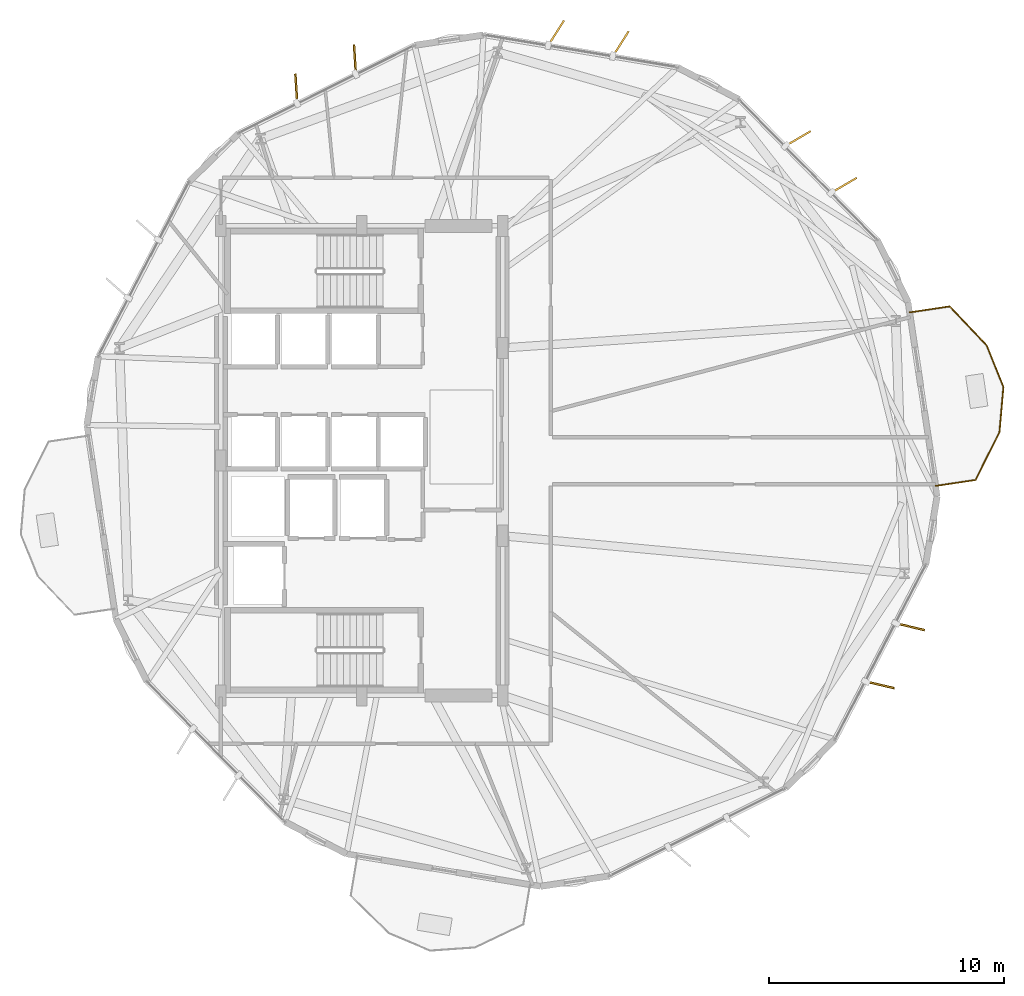
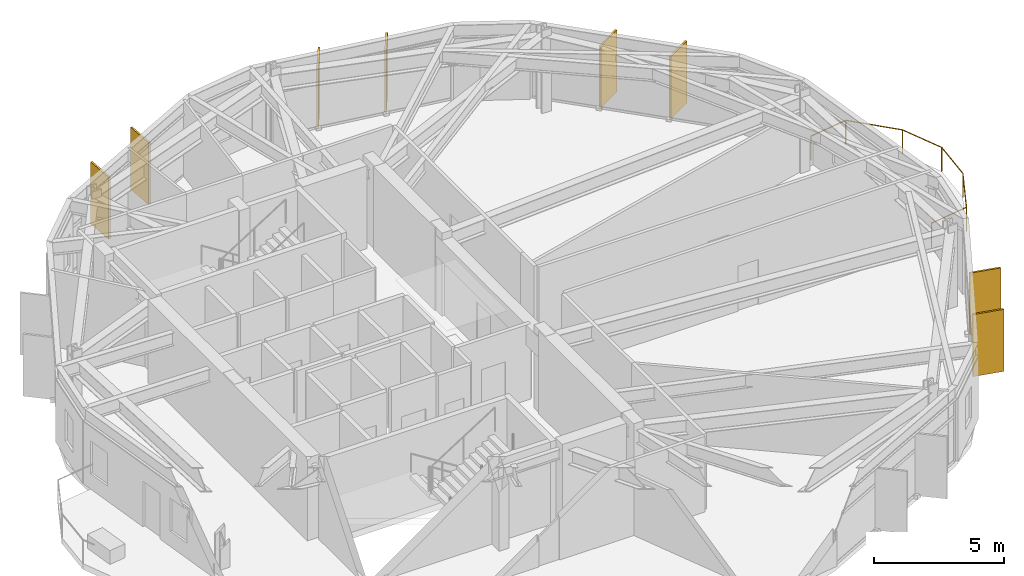
# One storey, part 22 of 22: 8 shading devices, 1 railing.
"""IFC4 building model written with IfcOpenShell, lengths in metres."""

from ifc_helpers import new_model, si_unit, direction, frame, origin, origin_2d, place, context, subcontext, project, spatial, rectangle, circle, extrude, material, layer, layer_set, type_object, element, save


model = new_model("IFC4")

# Units and contexts
model_context = context("Model", 3, precision=1e-05, world=origin(), true_north=direction((0.0, 1.0)))
body_context = subcontext(model_context, "Body", "Model", "MODEL_VIEW")
ifc_project = project(units=[si_unit("LENGTHUNIT", "METRE"), si_unit("AREAUNIT", "SQUARE_METRE"), si_unit("VOLUMEUNIT", "CUBIC_METRE"), si_unit("PLANEANGLEUNIT", "RADIAN"), si_unit("MASSUNIT", "GRAM", prefix="KILO")], contexts=[model_context])

# Site, building, storey
site_placement = place(None, origin())
site = spatial("IfcSite", under=ifc_project, at=site_placement, CompositionType="ELEMENT")
building_placement = place(site_placement, origin())
building = spatial("IfcBuilding", under=site, at=building_placement, Name="Soratama Intermodal Tower", CompositionType="ELEMENT")
storey_placement = place(building_placement, frame((0.0, 0.0, 130.300048828125)))
storey = spatial("IfcBuildingStorey", under=building, at=storey_placement, Name="L31", CompositionType="ELEMENT", Elevation=130.300048828125)

# Railing
ifc_material_1 = material(Name="Laminated glass and stainless steel balustrade", Category="steel")
railing_type = type_object("IfcRailingType", Name="RL-BAL-1150", PredefinedType="BALUSTRADE", material=ifc_material_1)
railing_placement = place(storey_placement, frame((61.940673828125, 31.317626953125, 0.0)))
element("IfcRailing", 1, at=railing_placement, inside=storey, type_object=railing_type, Name="L31 Balcony Balustrade 1", PredefinedType="BALUSTRADE", context=body_context, shape_type="SweptSolid", body=[
    extrude(circle(Radius=0.02392578125, at=origin_2d()), frame((0.0, 0.0, 1.1259765625), z_axis=(0.98895820712, 0.14819468469, 0.0), x_axis=(-0.14819468469, 0.98895820712, 0.0)), (0.0, 0.0, 1.0), 1.719970703125),
    extrude(circle(Radius=0.02392578125, at=origin_2d()), frame((1.700927734375, 0.2548828125, 1.1259765625), z_axis=(0.689187750138, -0.724582807593, 0.0), x_axis=(0.724582807593, 0.689187750138, 0.0)), (0.0, 0.0, 1.0), 2.283203125),
    extrude(circle(Radius=0.02392578125, at=origin_2d()), frame((3.2744140625, -1.3994140625, 1.1259765625), z_axis=(0.375088813392, -0.92698887915, 0.0), x_axis=(0.92698887915, 0.375088813392, 0.0)), (0.0, 0.0, 1.0), 1.922119140625),
    extrude(circle(Radius=0.02392578125, at=origin_2d()), frame((3.995361328125, -3.18115234375, 1.1259765625), z_axis=(-0.086996798183, -0.996208591162, 0.0), x_axis=(0.996208591162, -0.086996798183, 0.0)), (0.0, 0.0, 1.0), 1.92236328125),
    extrude(circle(Radius=0.02392578125, at=origin_2d()), frame((3.828125, -5.09619140625, 1.1259765625), z_axis=(-0.446571854203, -0.894747773975, 0.0), x_axis=(0.894747773975, -0.446571854203, 0.0)), (0.0, 0.0, 1.0), 2.282958984375),
    extrude(circle(Radius=0.02392578125, at=origin_2d()), frame((2.80859375, -7.138916015625, 1.1259765625), z_axis=(-0.988961323898, -0.148173883776, 0.0), x_axis=(0.148173883776, -0.988961323898, 0.0)), (0.0, 0.0, 1.0), 1.72021484375),
    extrude(circle(Radius=0.02099609375, at=origin_2d()), origin(), (0.0, 0.0, 1.0), 1.101806640625),
    extrude(circle(Radius=0.02099609375, at=origin_2d()), frame((1.700927734375, 0.2548828125, 0.0)), (0.0, 0.0, 1.0), 1.101806640625),
    extrude(circle(Radius=0.02099609375, at=origin_2d()), frame((3.2744140625, -1.3994140625, 0.0)), (0.0, 0.0, 1.0), 1.101806640625),
    extrude(circle(Radius=0.02099609375, at=origin_2d()), frame((3.995361328125, -3.18115234375, 0.0)), (0.0, 0.0, 1.0), 1.101806640625),
    extrude(circle(Radius=0.02099609375, at=origin_2d()), frame((3.828125, -5.09619140625, 0.0)), (0.0, 0.0, 1.0), 1.101806640625),
    extrude(circle(Radius=0.02099609375, at=origin_2d()), frame((2.80859375, -7.138916015625, 0.0)), (0.0, 0.0, 1.0), 1.101806640625),
    extrude(circle(Radius=0.02099609375, at=origin_2d()), frame((1.107421875, -7.393798828125, 0.0)), (0.0, 0.0, 1.0), 1.101806640625),
])

# Shading devices
ifc_material_2 = material(Name="Champagne anodised aluminium solar fin", Category="aluminium")
ifc_layer = layer(ifc_material_2, 0.080078125)
ifc_layer_set = layer_set([ifc_layer], Name="Champagne anodised aluminium solar fin")
shading_device_type = type_object("IfcShadingDeviceType", Name="SH-FIN-1250", PredefinedType="USERDEFINED", material=ifc_layer_set)
for number, where, z_axis, x_axis, name in (
    (2, (59.14794921875, 36.734375, 0.02001953125), (0.0, 0.0, 1.0), (0.862425336518, 0.506184293447, 0.0), "L31 Solar Fin F01-1"),
    (3, (57.190185546875, 38.72509765625, 0.02001953125), (0.0, 0.0, 1.0), (0.862425336518, 0.506184293447, 0.0), "L31 Solar Fin F01-2"),
    (4, (49.63525390625, 42.76318359375, 0.02001953125), (0.0, 0.0, 1.0), (0.534499867271, 0.84516855827, 0.0), "L31 Solar Fin F02-1"),
    (5, (46.88134765625, 43.22314453125, 0.02001953125), (0.0, 0.0, 1.0), (0.534499867271, 0.84516855827, 0.0), "L31 Solar Fin F02-2"),
    (6, (38.308837890625, 42.095458984375, 0.02001953125), (0.0, 0.0, 1.0), (-0.064532308253, 0.997915618272, 0.0), "L31 Solar Fin F03-1"),
    (7, (35.810546875, 40.8486328125, 0.02001953125), (0.0, 0.0, 1.0), (-0.064532308253, 0.997915618272, 0.0), "L31 Solar Fin F03-2"),
    (8, (60.677001953125, 15.44970703125, 0.02001953125), (0.0, 0.0, 1.0), (0.972897087776, -0.231238527491, 0.0), "L31 Solar Fin F09-1"),
    (9, (61.965576171875, 17.9267578125, 0.02001953125), (0.0, 0.0, 1.0), (0.972897087776, -0.231238527491, 0.0), "L31 Solar Fin F09-2"),
):
    element("IfcShadingDevice", number, at=place(storey_placement, frame(where, z_axis=z_axis, x_axis=x_axis)), inside=storey, type_object=shading_device_type, Name=name, ObjectType="FIN", PredefinedType="USERDEFINED", context=body_context, shape_type="SweptSolid", body=[
        extrude(rectangle(XDim=1.25, YDim=0.080078125, at=origin_2d()), origin(), (0.0, 0.0, 1.0), 2.9189453125),
    ])

save(model, "model.ifc")
